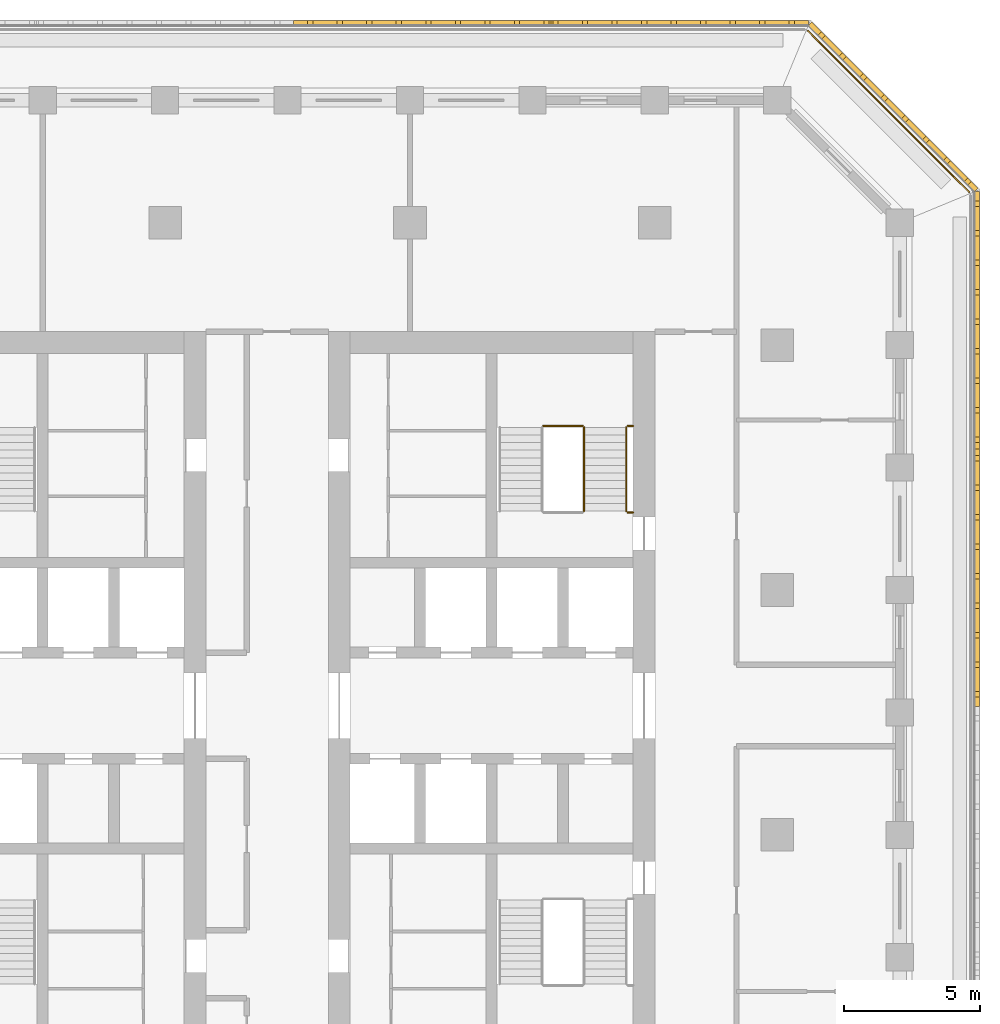
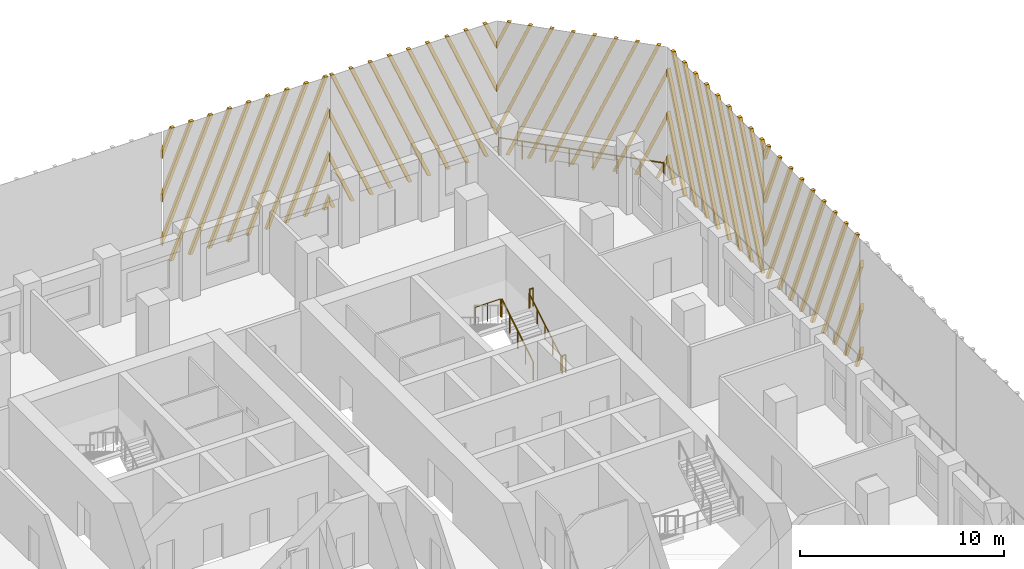
# One storey, part 15 of 16: 6 railings, 5 shading devices.
"""IFC4 building model written with IfcOpenShell, lengths in metres."""

from ifc_helpers import new_model, si_unit, direction, frame, origin, origin_2d, place, context, subcontext, project, spatial, polyline, circle, outline, extrude, source, transform, mapped, material, type_object, element, save


model = new_model("IFC4")

# Units and contexts
model_context = context("Model", 3, precision=1e-05, world=origin(), true_north=direction((0.0, 1.0)))
body_context = subcontext(model_context, "Body", "Model", "MODEL_VIEW")
ifc_project = project(units=[si_unit("LENGTHUNIT", "METRE"), si_unit("AREAUNIT", "SQUARE_METRE"), si_unit("VOLUMEUNIT", "CUBIC_METRE"), si_unit("PLANEANGLEUNIT", "RADIAN"), si_unit("MASSUNIT", "GRAM", prefix="KILO")], contexts=[model_context])

# Site, building, storey
site_placement = place(None, origin())
site = spatial("IfcSite", under=ifc_project, at=site_placement, CompositionType="ELEMENT")
building_placement = place(site_placement, origin())
building = spatial("IfcBuilding", under=site, at=building_placement, Name="Corbel Stack Research Tower", CompositionType="ELEMENT")
storey_placement = place(building_placement, frame((0.0, 0.0, 165.0)))
storey = spatial("IfcBuildingStorey", under=building, at=storey_placement, Name="L37", CompositionType="ELEMENT", Elevation=165.0)

# Railings
ifc_material_1 = material(Name="Steel S355", Category="steel")
railing_type_1 = type_object("IfcRailingType", Name="Stair guard 1100", PredefinedType="GUARDRAIL", material=ifc_material_1)
railing_1_placement = place(storey_placement, frame((15.39990234375, 11.89990234375, 0.1708984375)))
element("IfcRailing", 1, at=railing_1_placement, inside=storey, type_object=railing_type_1, Name="L37 ST-E2 stair guard 1", PredefinedType="GUARDRAIL", context=body_context, shape_type="SweptSolid", body=[
    extrude(circle(Radius=0.02392578125, at=origin_2d()), frame((0.0, 0.0, 1.076171875), z_axis=(0.0, 0.853666305674, 0.52082035152), x_axis=(-1.0, 0.0, 0.0)), (0.0, 0.0, 1.0), 3.608154296875),
    extrude(circle(Radius=0.02099609375, at=origin_2d()), origin(), (0.0, 0.0, 1.0), 1.052001953125),
    extrude(circle(Radius=0.02099609375, at=origin_2d()), frame((0.0, 0.77001953125, 0.4697265625)), (0.0, 0.0, 1.0), 1.052001953125),
    extrude(circle(Radius=0.02099609375, at=origin_2d()), frame((0.0, 1.5400390625, 0.939453125)), (0.0, 0.0, 1.0), 1.052001953125),
    extrude(circle(Radius=0.02099609375, at=origin_2d()), frame((0.0, 2.31005859375, 1.409423828125)), (0.0, 0.0, 1.0), 1.052001953125),
    extrude(circle(Radius=0.02099609375, at=origin_2d()), frame((0.0, 3.080078125, 1.879150390625)), (0.0, 0.0, 1.0), 1.052001953125),
])
railing_2_placement = place(storey_placement, frame((15.35009765625, 15.030029296875, 2.050048828125)))
element("IfcRailing", 2, at=railing_2_placement, inside=storey, type_object=railing_type_1, Name="L37 ST-E2 stair guard 2", PredefinedType="GUARDRAIL", context=body_context, shape_type="SweptSolid", body=[
    extrude(circle(Radius=0.02392578125, at=origin_2d()), frame((0.0, 0.0, 1.076171875), z_axis=(-1.0, 0.0, 0.0), x_axis=(0.0, -1.0, 0.0)), (0.0, 0.0, 1.0), 1.4501953125),
    extrude(circle(Radius=0.02099609375, at=origin_2d()), origin(), (0.0, 0.0, 1.0), 1.052001953125),
    extrude(circle(Radius=0.02099609375, at=origin_2d()), frame((-0.72509765625, 0.0, 0.0)), (0.0, 0.0, 1.0), 1.052001953125),
    extrude(circle(Radius=0.02099609375, at=origin_2d()), frame((-1.4501953125, 0.0, 0.0)), (0.0, 0.0, 1.0), 1.052001953125),
])
for number, where, name in (
    (3, (17.199951171875, 15.030029296875, 2.050048828125), "L37 ST-E2 stair guard 3"),
    (4, (17.199951171875, 11.85009765625, 0.0), "L37 ST-E2 stair guard 6"),
):
    element("IfcRailing", number, at=place(storey_placement, frame(where)), inside=storey, type_object=railing_type_1, Name=name, PredefinedType="GUARDRAIL", context=body_context, shape_type="SweptSolid", body=[
        extrude(circle(Radius=0.02392578125, at=origin_2d()), frame((0.0, 0.0, 1.076171875), z_axis=(-1.0, 0.0, 0.0), x_axis=(0.0, -1.0, 0.0)), (0.0, 0.0, 1.0), 0.199951171875),
        extrude(circle(Radius=0.02099609375, at=origin_2d()), origin(), (0.0, 0.0, 1.0), 1.052001953125),
        extrude(circle(Radius=0.02099609375, at=origin_2d()), frame((-0.199951171875, 0.0, 0.0)), (0.0, 0.0, 1.0), 1.052001953125),
    ])
ifc_material_2 = material(Name="Steel S355", Category="steel")
railing_type_2 = type_object("IfcRailingType", Name="Stair handrail 900", PredefinedType="HANDRAIL", material=ifc_material_2)
railing_3_placement = place(storey_placement, frame((16.949951171875, 11.89990234375, 0.1708984375)))
element("IfcRailing", 5, at=railing_3_placement, inside=storey, type_object=railing_type_2, Name="L37 ST-E2 stair handrail 1", PredefinedType="HANDRAIL", context=body_context, shape_type="SweptSolid", body=[
    extrude(circle(Radius=0.02392578125, at=origin_2d()), frame((0.0, 0.0, 0.8759765625), z_axis=(0.0, 0.853666305674, 0.52082035152), x_axis=(-1.0, 0.0, 0.0)), (0.0, 0.0, 1.0), 3.608154296875),
    extrude(circle(Radius=0.02099609375, at=origin_2d()), origin(), (0.0, 0.0, 1.0), 0.851806640625),
    extrude(circle(Radius=0.02099609375, at=origin_2d()), frame((0.0, 0.77001953125, 0.4697265625)), (0.0, 0.0, 1.0), 0.851806640625),
    extrude(circle(Radius=0.02099609375, at=origin_2d()), frame((0.0, 1.5400390625, 0.939453125)), (0.0, 0.0, 1.0), 0.851806640625),
    extrude(circle(Radius=0.02099609375, at=origin_2d()), frame((0.0, 2.31005859375, 1.409423828125)), (0.0, 0.0, 1.0), 0.851806640625),
    extrude(circle(Radius=0.02099609375, at=origin_2d()), frame((0.0, 3.080078125, 1.879150390625)), (0.0, 0.0, 1.0), 0.851806640625),
])
ifc_material_3 = material(Name="Powder-coated steel guard", Category="steel")
railing_type_3 = type_object("IfcRailingType", Name="Steel and glass guard 1100", PredefinedType="GUARDRAIL", material=ifc_material_3)
railing_4_placement = place(storey_placement, frame((29.54931640625, 23.627685546875, 0.0)))
element("IfcRailing", 6, at=railing_4_placement, inside=storey, type_object=railing_type_3, Name="Loggia guard L37 NE", PredefinedType="GUARDRAIL", context=body_context, shape_type="SweptSolid", body=[
    extrude(circle(Radius=0.02392578125, at=origin_2d()), frame((0.0, 0.0, 1.076171875), z_axis=(-0.707106781187, 0.707106781187, 0.0), x_axis=(-0.707106781187, -0.707106781187, 0.0)), (0.0, 0.0, 1.0), 8.37451171875),
    extrude(circle(Radius=0.02099609375, at=origin_2d()), origin(), (0.0, 0.0, 1.0), 1.052001953125),
    extrude(circle(Radius=0.02099609375, at=origin_2d()), frame((-0.845947265625, 0.845947265625, 0.0)), (0.0, 0.0, 1.0), 1.052001953125),
    extrude(circle(Radius=0.02099609375, at=origin_2d()), frame((-1.69189453125, 1.69189453125, 0.0)), (0.0, 0.0, 1.0), 1.052001953125),
    extrude(circle(Radius=0.02099609375, at=origin_2d()), frame((-2.537841796875, 2.537841796875, 0.0)), (0.0, 0.0, 1.0), 1.052001953125),
    extrude(circle(Radius=0.02099609375, at=origin_2d()), frame((-3.3837890625, 3.3837890625, 0.0)), (0.0, 0.0, 1.0), 1.052001953125),
    extrude(circle(Radius=0.02099609375, at=origin_2d()), frame((-4.229736328125, 4.229736328125, 0.0)), (0.0, 0.0, 1.0), 1.052001953125),
    extrude(circle(Radius=0.02099609375, at=origin_2d()), frame((-5.07568359375, 5.07568359375, 0.0)), (0.0, 0.0, 1.0), 1.052001953125),
    extrude(circle(Radius=0.02099609375, at=origin_2d()), frame((-5.921630859375, 5.921630859375, 0.0)), (0.0, 0.0, 1.0), 1.052001953125),
])

# Shading devices
ifc_material_4 = material(Name="Precast terracotta", Category="masonry")
shading_device_type = type_object("IfcShadingDeviceType", Name="Terracotta screen panel", PredefinedType="USERDEFINED", material=ifc_material_4)
shared_shape_1 = source(origin(), body_context, "Body", "SweptSolid", [
    extrude(outline(polyline([(0.432373046875, 7.949951171875), (0.2421875, 7.949951171875), (0.0, 7.36962890625), (0.0, 6.914794921875), (0.432373046875, 7.949951171875)])), frame((0.0, 0.0, 0.0), z_axis=(0.0, -1.0, 0.0), x_axis=(1.0, 0.0, 0.0)), (0.0, 0.0, 1.0), 0.179931640625),
    extrude(outline(polyline([(1.51708984375, 7.949951171875), (1.326904296875, 7.949951171875), (0.0, 4.7724609375), (0.0, 4.317626953125), (1.51708984375, 7.949951171875)])), frame((0.0, 0.0, 0.0), z_axis=(0.0, -1.0, 0.0), x_axis=(1.0, 0.0, 0.0)), (0.0, 0.0, 1.0), 0.179931640625),
    extrude(outline(polyline([(2.601806640625, 7.949951171875), (2.41162109375, 7.949951171875), (0.0, 2.17529296875), (0.0, 1.720458984375), (2.601806640625, 7.949951171875)])), frame((0.0, 0.0, 0.0), z_axis=(0.0, -1.0, 0.0), x_axis=(1.0, 0.0, 0.0)), (0.0, 0.0, 1.0), 0.179931640625),
    extrude(outline(polyline([(0.3662109375, 0.0), (3.686279296875, 7.949951171875), (3.496337890625, 7.949951171875), (0.17626953125, 0.0), (0.3662109375, 0.0)])), frame((0.0, 0.0, 0.0), z_axis=(0.0, -1.0, 0.0), x_axis=(1.0, 0.0, 0.0)), (0.0, 0.0, 1.0), 0.179931640625),
    extrude(outline(polyline([(1.45068359375, 0.0), (4.77099609375, 7.949951171875), (4.5810546875, 7.949951171875), (1.2607421875, 0.0), (1.45068359375, 0.0)])), frame((0.0, 0.0, 0.0), z_axis=(0.0, -1.0, 0.0), x_axis=(1.0, 0.0, 0.0)), (0.0, 0.0, 1.0), 0.179931640625),
    extrude(outline(polyline([(2.535400390625, 0.0), (5.855712890625, 7.949951171875), (5.665771484375, 7.949951171875), (2.345458984375, 0.0), (2.535400390625, 0.0)])), frame((0.0, 0.0, 0.0), z_axis=(0.0, -1.0, 0.0), x_axis=(1.0, 0.0, 0.0)), (0.0, 0.0, 1.0), 0.179931640625),
    extrude(outline(polyline([(3.6201171875, 0.0), (6.940185546875, 7.949951171875), (6.750244140625, 7.949951171875), (3.43017578125, 0.0), (3.6201171875, 0.0)])), frame((0.0, 0.0, 0.0), z_axis=(0.0, -1.0, 0.0), x_axis=(1.0, 0.0, 0.0)), (0.0, 0.0, 1.0), 0.179931640625),
    extrude(outline(polyline([(4.704833984375, 0.0), (8.02490234375, 7.949951171875), (7.8349609375, 7.949951171875), (4.514892578125, 0.0), (4.704833984375, 0.0)])), frame((0.0, 0.0, 0.0), z_axis=(0.0, -1.0, 0.0), x_axis=(1.0, 0.0, 0.0)), (0.0, 0.0, 1.0), 0.179931640625),
    extrude(outline(polyline([(5.78955078125, 0.0), (9.109619140625, 7.949951171875), (8.919677734375, 7.949951171875), (5.599609375, 0.0), (5.78955078125, 0.0)])), frame((0.0, 0.0, 0.0), z_axis=(0.0, -1.0, 0.0), x_axis=(1.0, 0.0, 0.0)), (0.0, 0.0, 1.0), 0.179931640625),
    extrude(outline(polyline([(6.874267578125, 0.0), (9.45556640625, 6.18115234375), (9.45556640625, 6.63623046875), (6.68408203125, 0.0), (6.874267578125, 0.0)])), frame((0.0, 0.0, 0.0), z_axis=(0.0, -1.0, 0.0), x_axis=(1.0, 0.0, 0.0)), (0.0, 0.0, 1.0), 0.179931640625),
    extrude(outline(polyline([(7.958740234375, 0.0), (9.45556640625, 3.583984375), (9.45556640625, 4.0390625), (7.768798828125, 0.0), (7.958740234375, 0.0)])), frame((0.0, 0.0, 0.0), z_axis=(0.0, -1.0, 0.0), x_axis=(1.0, 0.0, 0.0)), (0.0, 0.0, 1.0), 0.179931640625),
    extrude(outline(polyline([(9.04345703125, 0.0), (9.45556640625, 0.98681640625), (9.45556640625, 1.44189453125), (8.853515625, 0.0), (9.04345703125, 0.0)])), frame((0.0, 0.0, 0.0), z_axis=(0.0, -1.0, 0.0), x_axis=(1.0, 0.0, 0.0)), (0.0, 0.0, 1.0), 0.179931640625),
])
shading_device_1_placement = place(storey_placement, frame((29.75, 14.18359375, 0.0), z_axis=(0.0, 0.0, 1.0), x_axis=(0.0, 1.0, 0.0)))
element("IfcShadingDevice", 7, at=shading_device_1_placement, inside=storey, type_object=shading_device_type, Name="Terracotta screen L37 E5", ObjectType="SCREEN", PredefinedType="USERDEFINED", context=body_context, shape_type="MappedRepresentation", body=[
    mapped(shared_shape_1, transform((0.0, 0.0, 0.0))),
])
shared_shape_2 = source(origin(), body_context, "Body", "SweptSolid", [
    extrude(outline(polyline([(0.60205078125, 0.0), (0.0, 1.44189453125), (0.0, 0.98681640625), (0.412109375, 0.0), (0.60205078125, 0.0)])), frame((0.0, 0.0, 0.0), z_axis=(0.0, -1.0, 0.0), x_axis=(1.0, 0.0, 0.0)), (0.0, 0.0, 1.0), 0.179931640625),
    extrude(outline(polyline([(1.686767578125, 0.0), (0.0, 4.0390625), (0.0, 3.583984375), (1.496826171875, 0.0), (1.686767578125, 0.0)])), frame((0.0, 0.0, 0.0), z_axis=(0.0, -1.0, 0.0), x_axis=(1.0, 0.0, 0.0)), (0.0, 0.0, 1.0), 0.179931640625),
    extrude(outline(polyline([(2.771484375, 0.0), (0.0, 6.63623046875), (0.0, 6.18115234375), (2.58154296875, 0.0), (2.771484375, 0.0)])), frame((0.0, 0.0, 0.0), z_axis=(0.0, -1.0, 0.0), x_axis=(1.0, 0.0, 0.0)), (0.0, 0.0, 1.0), 0.179931640625),
    extrude(outline(polyline([(3.856201171875, 0.0), (0.535888671875, 7.949951171875), (0.345947265625, 7.949951171875), (3.666015625, 0.0), (3.856201171875, 0.0)])), frame((0.0, 0.0, 0.0), z_axis=(0.0, -1.0, 0.0), x_axis=(1.0, 0.0, 0.0)), (0.0, 0.0, 1.0), 0.179931640625),
    extrude(outline(polyline([(4.94091796875, 0.0), (1.62060546875, 7.949951171875), (1.4306640625, 7.949951171875), (4.750732421875, 0.0), (4.94091796875, 0.0)])), frame((0.0, 0.0, 0.0), z_axis=(0.0, -1.0, 0.0), x_axis=(1.0, 0.0, 0.0)), (0.0, 0.0, 1.0), 0.179931640625),
    extrude(outline(polyline([(6.025390625, 0.0), (2.705322265625, 7.949951171875), (2.515380859375, 7.949951171875), (5.83544921875, 0.0), (6.025390625, 0.0)])), frame((0.0, 0.0, 0.0), z_axis=(0.0, -1.0, 0.0), x_axis=(1.0, 0.0, 0.0)), (0.0, 0.0, 1.0), 0.179931640625),
    extrude(outline(polyline([(7.110107421875, 0.0), (3.7900390625, 7.949951171875), (3.60009765625, 7.949951171875), (6.920166015625, 0.0), (7.110107421875, 0.0)])), frame((0.0, 0.0, 0.0), z_axis=(0.0, -1.0, 0.0), x_axis=(1.0, 0.0, 0.0)), (0.0, 0.0, 1.0), 0.179931640625),
    extrude(outline(polyline([(8.19482421875, 0.0), (4.87451171875, 7.949951171875), (4.6845703125, 7.949951171875), (8.0048828125, 0.0), (8.19482421875, 0.0)])), frame((0.0, 0.0, 0.0), z_axis=(0.0, -1.0, 0.0), x_axis=(1.0, 0.0, 0.0)), (0.0, 0.0, 1.0), 0.179931640625),
    extrude(outline(polyline([(9.279541015625, 0.0), (5.959228515625, 7.949951171875), (5.769287109375, 7.949951171875), (9.089599609375, 0.0), (9.279541015625, 0.0)])), frame((0.0, 0.0, 0.0), z_axis=(0.0, -1.0, 0.0), x_axis=(1.0, 0.0, 0.0)), (0.0, 0.0, 1.0), 0.179931640625),
    extrude(outline(polyline([(7.0439453125, 7.949951171875), (6.85400390625, 7.949951171875), (9.45556640625, 1.720458984375), (9.45556640625, 2.17529296875), (7.0439453125, 7.949951171875)])), frame((0.0, 0.0, 0.0), z_axis=(0.0, -1.0, 0.0), x_axis=(1.0, 0.0, 0.0)), (0.0, 0.0, 1.0), 0.179931640625),
    extrude(outline(polyline([(8.128662109375, 7.949951171875), (7.938720703125, 7.949951171875), (9.45556640625, 4.317626953125), (9.45556640625, 4.7724609375), (8.128662109375, 7.949951171875)])), frame((0.0, 0.0, 0.0), z_axis=(0.0, -1.0, 0.0), x_axis=(1.0, 0.0, 0.0)), (0.0, 0.0, 1.0), 0.179931640625),
    extrude(outline(polyline([(9.21337890625, 7.949951171875), (9.023193359375, 7.949951171875), (9.45556640625, 6.914794921875), (9.45556640625, 7.36962890625), (9.21337890625, 7.949951171875)])), frame((0.0, 0.0, 0.0), z_axis=(0.0, -1.0, 0.0), x_axis=(1.0, 0.0, 0.0)), (0.0, 0.0, 1.0), 0.179931640625),
])
shading_device_2_placement = place(storey_placement, frame((29.75, 4.727783203125, 0.0), z_axis=(0.0, 0.0, 1.0), x_axis=(0.0, 1.0, 0.0)))
element("IfcShadingDevice", 8, at=shading_device_2_placement, inside=storey, type_object=shading_device_type, Name="Terracotta screen L37 E4", ObjectType="SCREEN", PredefinedType="USERDEFINED", context=body_context, shape_type="MappedRepresentation", body=[
    mapped(shared_shape_2, transform((0.0, 0.0, 0.0))),
])
shared_shape_3 = source(origin(), body_context, "Body", "SweptSolid", [
    extrude(outline(polyline([(0.60205078125, 0.0), (0.0, 1.44189453125), (0.0, 0.98681640625), (0.412109375, 0.0), (0.60205078125, 0.0)])), frame((0.0, 0.0, 0.0), z_axis=(0.0, -1.0, 0.0), x_axis=(1.0, 0.0, 0.0)), (0.0, 0.0, 1.0), 0.179931640625),
    extrude(outline(polyline([(1.686767578125, 0.0), (0.0, 4.0390625), (0.0, 3.583984375), (1.496826171875, 0.0), (1.686767578125, 0.0)])), frame((0.0, 0.0, 0.0), z_axis=(0.0, -1.0, 0.0), x_axis=(1.0, 0.0, 0.0)), (0.0, 0.0, 1.0), 0.179931640625),
    extrude(outline(polyline([(2.771484375, 0.0), (0.0, 6.63623046875), (0.0, 6.18115234375), (2.58154296875, 0.0), (2.771484375, 0.0)])), frame((0.0, 0.0, 0.0), z_axis=(0.0, -1.0, 0.0), x_axis=(1.0, 0.0, 0.0)), (0.0, 0.0, 1.0), 0.179931640625),
    extrude(outline(polyline([(3.856201171875, 0.0), (0.535888671875, 7.949951171875), (0.345947265625, 7.949951171875), (3.666015625, 0.0), (3.856201171875, 0.0)])), frame((0.0, 0.0, 0.0), z_axis=(0.0, -1.0, 0.0), x_axis=(1.0, 0.0, 0.0)), (0.0, 0.0, 1.0), 0.179931640625),
    extrude(outline(polyline([(4.94091796875, 0.0), (1.62060546875, 7.949951171875), (1.4306640625, 7.949951171875), (4.750732421875, 0.0), (4.94091796875, 0.0)])), frame((0.0, 0.0, 0.0), z_axis=(0.0, -1.0, 0.0), x_axis=(1.0, 0.0, 0.0)), (0.0, 0.0, 1.0), 0.179931640625),
    extrude(outline(polyline([(6.025390625, 0.0), (2.705322265625, 7.949951171875), (2.515380859375, 7.949951171875), (5.83544921875, 0.0), (6.025390625, 0.0)])), frame((0.0, 0.0, 0.0), z_axis=(0.0, -1.0, 0.0), x_axis=(1.0, 0.0, 0.0)), (0.0, 0.0, 1.0), 0.179931640625),
    extrude(outline(polyline([(7.110107421875, 0.0), (3.7900390625, 7.949951171875), (3.60009765625, 7.949951171875), (6.920166015625, 0.0), (7.110107421875, 0.0)])), frame((0.0, 0.0, 0.0), z_axis=(0.0, -1.0, 0.0), x_axis=(1.0, 0.0, 0.0)), (0.0, 0.0, 1.0), 0.179931640625),
    extrude(outline(polyline([(8.19482421875, 0.0), (4.87451171875, 7.949951171875), (4.6845703125, 7.949951171875), (8.0048828125, 0.0), (8.19482421875, 0.0)])), frame((0.0, 0.0, 0.0), z_axis=(0.0, -1.0, 0.0), x_axis=(1.0, 0.0, 0.0)), (0.0, 0.0, 1.0), 0.179931640625),
    extrude(outline(polyline([(5.959228515625, 7.949951171875), (5.769287109375, 7.949951171875), (8.64208984375, 1.071044921875), (8.64208984375, 1.526123046875), (5.959228515625, 7.949951171875)])), frame((0.0, 0.0, 0.0), z_axis=(0.0, -1.0, 0.0), x_axis=(1.0, 0.0, 0.0)), (0.0, 0.0, 1.0), 0.179931640625),
    extrude(outline(polyline([(7.0439453125, 7.949951171875), (6.85400390625, 7.949951171875), (8.64208984375, 3.668212890625), (8.64208984375, 4.123291015625), (7.0439453125, 7.949951171875)])), frame((0.0, 0.0, 0.0), z_axis=(0.0, -1.0, 0.0), x_axis=(1.0, 0.0, 0.0)), (0.0, 0.0, 1.0), 0.179931640625),
    extrude(outline(polyline([(8.128662109375, 7.949951171875), (7.938720703125, 7.949951171875), (8.64208984375, 6.265380859375), (8.64208984375, 6.720458984375), (8.128662109375, 7.949951171875)])), frame((0.0, 0.0, 0.0), z_axis=(0.0, -1.0, 0.0), x_axis=(1.0, 0.0, 0.0)), (0.0, 0.0, 1.0), 0.179931640625),
])
shading_device_3_placement = place(storey_placement, frame((29.75, 23.63916015625, 0.0), z_axis=(0.0, 0.0, 1.0), x_axis=(-0.707106781187, 0.707106781187, 0.0)))
element("IfcShadingDevice", 9, at=shading_device_3_placement, inside=storey, type_object=shading_device_type, Name="Terracotta screen L37 NE1", ObjectType="SCREEN", PredefinedType="USERDEFINED", context=body_context, shape_type="MappedRepresentation", body=[
    mapped(shared_shape_3, transform((0.0, 0.0, 0.0))),
])
shared_shape_4 = source(origin(), body_context, "Body", "SweptSolid", [
    extrude(outline(polyline([(0.70361328125, 7.949951171875), (0.513427734375, 7.949951171875), (0.0, 6.720458984375), (0.0, 6.265380859375), (0.70361328125, 7.949951171875)])), frame((0.0, 0.0, 0.0), z_axis=(0.0, -1.0, 0.0), x_axis=(1.0, 0.0, 0.0)), (0.0, 0.0, 1.0), 0.179931640625),
    extrude(outline(polyline([(1.7880859375, 7.949951171875), (1.59814453125, 7.949951171875), (0.0, 4.123291015625), (0.0, 3.668212890625), (1.7880859375, 7.949951171875)])), frame((0.0, 0.0, 0.0), z_axis=(0.0, -1.0, 0.0), x_axis=(1.0, 0.0, 0.0)), (0.0, 0.0, 1.0), 0.179931640625),
    extrude(outline(polyline([(2.872802734375, 7.949951171875), (2.682861328125, 7.949951171875), (0.0, 1.526123046875), (0.0, 1.071044921875), (2.872802734375, 7.949951171875)])), frame((0.0, 0.0, 0.0), z_axis=(0.0, -1.0, 0.0), x_axis=(1.0, 0.0, 0.0)), (0.0, 0.0, 1.0), 0.179931640625),
    extrude(outline(polyline([(0.63720703125, 0.0), (3.95751953125, 7.949951171875), (3.767578125, 7.949951171875), (0.447265625, 0.0), (0.63720703125, 0.0)])), frame((0.0, 0.0, 0.0), z_axis=(0.0, -1.0, 0.0), x_axis=(1.0, 0.0, 0.0)), (0.0, 0.0, 1.0), 0.179931640625),
    extrude(outline(polyline([(1.721923828125, 0.0), (5.042236328125, 7.949951171875), (4.852294921875, 7.949951171875), (1.531982421875, 0.0), (1.721923828125, 0.0)])), frame((0.0, 0.0, 0.0), z_axis=(0.0, -1.0, 0.0), x_axis=(1.0, 0.0, 0.0)), (0.0, 0.0, 1.0), 0.179931640625),
    extrude(outline(polyline([(2.806640625, 0.0), (6.126708984375, 7.949951171875), (5.936767578125, 7.949951171875), (2.61669921875, 0.0), (2.806640625, 0.0)])), frame((0.0, 0.0, 0.0), z_axis=(0.0, -1.0, 0.0), x_axis=(1.0, 0.0, 0.0)), (0.0, 0.0, 1.0), 0.179931640625),
    extrude(outline(polyline([(3.891357421875, 0.0), (7.21142578125, 7.949951171875), (7.021484375, 7.949951171875), (3.701416015625, 0.0), (3.891357421875, 0.0)])), frame((0.0, 0.0, 0.0), z_axis=(0.0, -1.0, 0.0), x_axis=(1.0, 0.0, 0.0)), (0.0, 0.0, 1.0), 0.179931640625),
    extrude(outline(polyline([(4.97607421875, 0.0), (8.296142578125, 7.949951171875), (8.106201171875, 7.949951171875), (4.785888671875, 0.0), (4.97607421875, 0.0)])), frame((0.0, 0.0, 0.0), z_axis=(0.0, -1.0, 0.0), x_axis=(1.0, 0.0, 0.0)), (0.0, 0.0, 1.0), 0.179931640625),
    extrude(outline(polyline([(6.060791015625, 0.0), (9.380859375, 7.949951171875), (9.19091796875, 7.949951171875), (5.87060546875, 0.0), (6.060791015625, 0.0)])), frame((0.0, 0.0, 0.0), z_axis=(0.0, -1.0, 0.0), x_axis=(1.0, 0.0, 0.0)), (0.0, 0.0, 1.0), 0.179931640625),
    extrude(outline(polyline([(7.145263671875, 0.0), (9.45556640625, 5.531982421875), (9.45556640625, 5.98681640625), (6.955322265625, 0.0), (7.145263671875, 0.0)])), frame((0.0, 0.0, 0.0), z_axis=(0.0, -1.0, 0.0), x_axis=(1.0, 0.0, 0.0)), (0.0, 0.0, 1.0), 0.179931640625),
    extrude(outline(polyline([(8.22998046875, 0.0), (9.45556640625, 2.934814453125), (9.45556640625, 3.3896484375), (8.0400390625, 0.0), (8.22998046875, 0.0)])), frame((0.0, 0.0, 0.0), z_axis=(0.0, -1.0, 0.0), x_axis=(1.0, 0.0, 0.0)), (0.0, 0.0, 1.0), 0.179931640625),
    extrude(outline(polyline([(9.314697265625, 0.0), (9.45556640625, 0.337646484375), (9.45556640625, 0.79248046875), (9.124755859375, 0.0), (9.314697265625, 0.0)])), frame((0.0, 0.0, 0.0), z_axis=(0.0, -1.0, 0.0), x_axis=(1.0, 0.0, 0.0)), (0.0, 0.0, 1.0), 0.179931640625),
])
shading_device_4_placement = place(storey_placement, frame((23.63916015625, 29.75, 0.0), z_axis=(0.0, 0.0, 1.0), x_axis=(-1.0, 0.0, 0.0)))
element("IfcShadingDevice", 10, at=shading_device_4_placement, inside=storey, type_object=shading_device_type, Name="Terracotta screen L37 N1", ObjectType="SCREEN", PredefinedType="USERDEFINED", context=body_context, shape_type="MappedRepresentation", body=[
    mapped(shared_shape_4, transform((0.0, 0.0, 0.0))),
])
shared_shape_5 = source(origin(), body_context, "Body", "SweptSolid", [
    extrude(outline(polyline([(0.3310546875, 0.0), (0.0, 0.79248046875), (0.0, 0.337646484375), (0.14111328125, 0.0), (0.3310546875, 0.0)])), frame((0.0, 0.0, 0.0), z_axis=(0.0, -1.0, 0.0), x_axis=(1.0, 0.0, 0.0)), (0.0, 0.0, 1.0), 0.179931640625),
    extrude(outline(polyline([(1.41552734375, 0.0), (0.0, 3.3896484375), (0.0, 2.934814453125), (1.2255859375, 0.0), (1.41552734375, 0.0)])), frame((0.0, 0.0, 0.0), z_axis=(0.0, -1.0, 0.0), x_axis=(1.0, 0.0, 0.0)), (0.0, 0.0, 1.0), 0.179931640625),
    extrude(outline(polyline([(2.500244140625, 0.0), (0.0, 5.98681640625), (0.0, 5.531982421875), (2.310302734375, 0.0), (2.500244140625, 0.0)])), frame((0.0, 0.0, 0.0), z_axis=(0.0, -1.0, 0.0), x_axis=(1.0, 0.0, 0.0)), (0.0, 0.0, 1.0), 0.179931640625),
    extrude(outline(polyline([(3.5849609375, 0.0), (0.264892578125, 7.949951171875), (0.07470703125, 7.949951171875), (3.39501953125, 0.0), (3.5849609375, 0.0)])), frame((0.0, 0.0, 0.0), z_axis=(0.0, -1.0, 0.0), x_axis=(1.0, 0.0, 0.0)), (0.0, 0.0, 1.0), 0.179931640625),
    extrude(outline(polyline([(4.669677734375, 0.0), (1.349609375, 7.949951171875), (1.159423828125, 7.949951171875), (4.4794921875, 0.0), (4.669677734375, 0.0)])), frame((0.0, 0.0, 0.0), z_axis=(0.0, -1.0, 0.0), x_axis=(1.0, 0.0, 0.0)), (0.0, 0.0, 1.0), 0.179931640625),
    extrude(outline(polyline([(5.75439453125, 0.0), (2.43408203125, 7.949951171875), (2.244140625, 7.949951171875), (5.564208984375, 0.0), (5.75439453125, 0.0)])), frame((0.0, 0.0, 0.0), z_axis=(0.0, -1.0, 0.0), x_axis=(1.0, 0.0, 0.0)), (0.0, 0.0, 1.0), 0.179931640625),
    extrude(outline(polyline([(6.839111328125, 0.0), (3.518798828125, 7.949951171875), (3.328857421875, 7.949951171875), (6.64892578125, 0.0), (6.839111328125, 0.0)])), frame((0.0, 0.0, 0.0), z_axis=(0.0, -1.0, 0.0), x_axis=(1.0, 0.0, 0.0)), (0.0, 0.0, 1.0), 0.179931640625),
    extrude(outline(polyline([(7.923583984375, 0.0), (4.603515625, 7.949951171875), (4.41357421875, 7.949951171875), (7.733642578125, 0.0), (7.923583984375, 0.0)])), frame((0.0, 0.0, 0.0), z_axis=(0.0, -1.0, 0.0), x_axis=(1.0, 0.0, 0.0)), (0.0, 0.0, 1.0), 0.179931640625),
    extrude(outline(polyline([(9.00830078125, 0.0), (5.68798828125, 7.949951171875), (5.498046875, 7.949951171875), (8.818359375, 0.0), (9.00830078125, 0.0)])), frame((0.0, 0.0, 0.0), z_axis=(0.0, -1.0, 0.0), x_axis=(1.0, 0.0, 0.0)), (0.0, 0.0, 1.0), 0.179931640625),
    extrude(outline(polyline([(6.772705078125, 7.949951171875), (6.582763671875, 7.949951171875), (9.45556640625, 1.071044921875), (9.45556640625, 1.526123046875), (6.772705078125, 7.949951171875)])), frame((0.0, 0.0, 0.0), z_axis=(0.0, -1.0, 0.0), x_axis=(1.0, 0.0, 0.0)), (0.0, 0.0, 1.0), 0.179931640625),
    extrude(outline(polyline([(7.857421875, 7.949951171875), (7.66748046875, 7.949951171875), (9.45556640625, 3.668212890625), (9.45556640625, 4.123291015625), (7.857421875, 7.949951171875)])), frame((0.0, 0.0, 0.0), z_axis=(0.0, -1.0, 0.0), x_axis=(1.0, 0.0, 0.0)), (0.0, 0.0, 1.0), 0.179931640625),
    extrude(outline(polyline([(8.942138671875, 7.949951171875), (8.752197265625, 7.949951171875), (9.45556640625, 6.265380859375), (9.45556640625, 6.720458984375), (8.942138671875, 7.949951171875)])), frame((0.0, 0.0, 0.0), z_axis=(0.0, -1.0, 0.0), x_axis=(1.0, 0.0, 0.0)), (0.0, 0.0, 1.0), 0.179931640625),
])
shading_device_5_placement = place(storey_placement, frame((14.18359375, 29.75, 0.0), z_axis=(0.0, 0.0, 1.0), x_axis=(-1.0, 0.0, 0.0)))
element("IfcShadingDevice", 11, at=shading_device_5_placement, inside=storey, type_object=shading_device_type, Name="Terracotta screen L37 N2", ObjectType="SCREEN", PredefinedType="USERDEFINED", context=body_context, shape_type="MappedRepresentation", body=[
    mapped(shared_shape_5, transform((0.0, 0.0, 0.0))),
])

save(model, "model.ifc")
